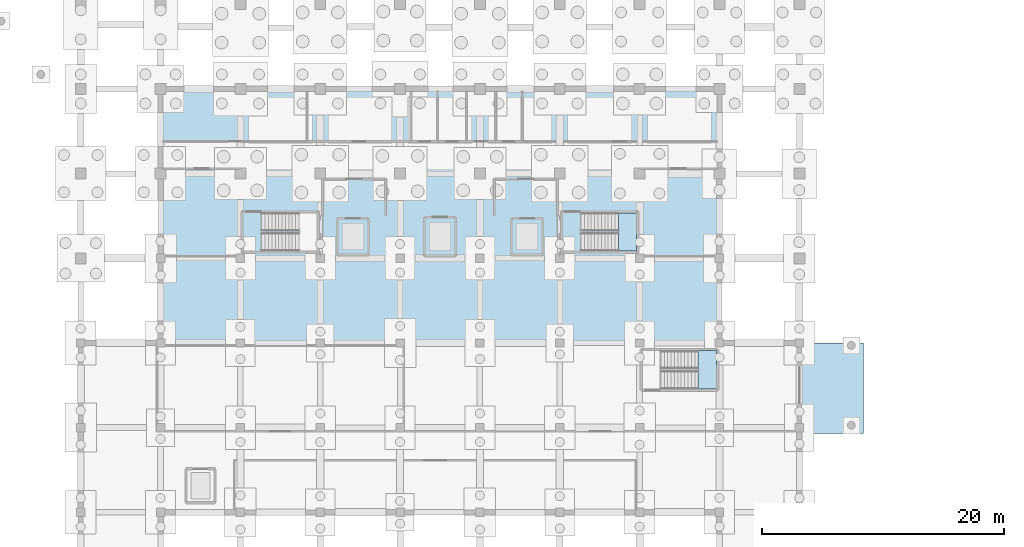
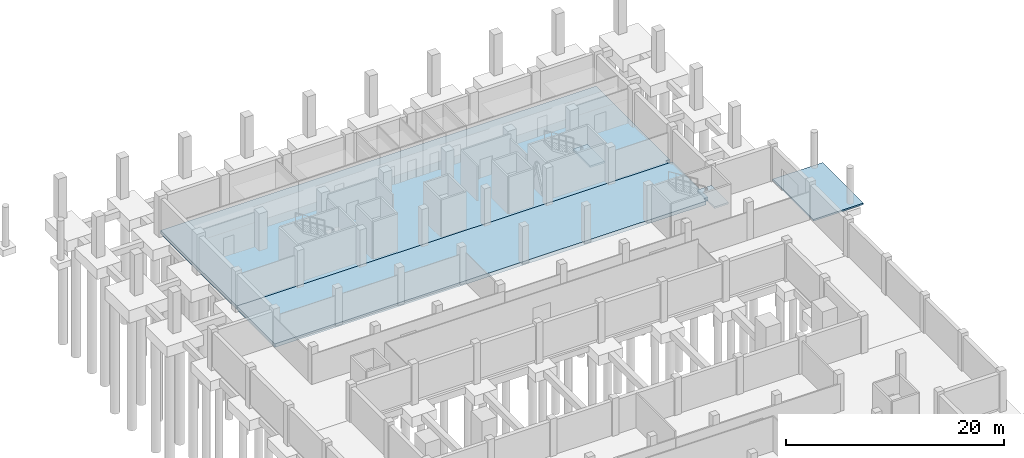
# One storey, part 14 of 27: 5 slabs, 2 elements without a shape of their own.
"""IFC4 building model written with IfcOpenShell, lengths in metres."""

from ifc_helpers import new_model, si_unit, direction, frame, origin, place, context, subcontext, project, spatial, polyline, outline, extrude, material, layer, layer_set, type_object, element, aggregate, save


model = new_model("IFC4")

# Units and contexts
model_context = context("Model", 3, precision=1e-05, world=origin(), true_north=direction((0.0, 1.0)))
body_context = subcontext(model_context, "Body", "Model", "MODEL_VIEW")
ifc_project = project(units=[si_unit("LENGTHUNIT", "METRE"), si_unit("AREAUNIT", "SQUARE_METRE"), si_unit("VOLUMEUNIT", "CUBIC_METRE"), si_unit("PLANEANGLEUNIT", "RADIAN"), si_unit("MASSUNIT", "GRAM", prefix="KILO")], contexts=[model_context])

# Site, building, storey
site_placement = place(None, origin())
site = spatial("IfcSite", under=ifc_project, at=site_placement, CompositionType="ELEMENT")
building_placement = place(site_placement, origin())
building = spatial("IfcBuilding", under=site, at=building_placement, Name="Ciguamira Faculty of Natural Sciences", CompositionType="ELEMENT")
storey_placement = place(building_placement, frame((0.0, 0.0, -4.199951171875)))
storey = spatial("IfcBuildingStorey", under=building, at=storey_placement, Name="B1", CompositionType="ELEMENT", Elevation=-4.199951171875)

# Slabs
ifc_material_1 = material(Name="Precast concrete C35/45", Category="concrete")
ifc_layer_1 = layer(ifc_material_1, 0.179931640625, Name="Precast concrete C35/45")
ifc_layer_set_1 = layer_set([ifc_layer_1], Name="Precast concrete C35/45")
slab_type_1 = type_object("IfcSlabType", Name="PavingSlab_PV01", PredefinedType="BASESLAB", material=ifc_layer_set_1)
slab_1_placement = place(storey_placement, frame((0.0, 0.0, -0.179931640625)))
element("IfcSlab", 1, at=slab_1_placement, inside=storey, type_object=slab_type_1, Name="B1 service delivery apron", PredefinedType="BASESLAB", context=body_context, shape_type="SweptSolid", body=[
    extrude(outline(polyline([(116.699951171875, 79.5), (122.0, 79.5), (122.0, 87.0), (116.699951171875, 87.0), (116.699951171875, 79.5)])), origin(), (0.0, 0.0, 1.0), 0.179931640625),
])
ifc_material_2 = material(Name="Concrete C35/45", Category="concrete")
ifc_layer_2 = layer(ifc_material_2, 0.39990234375, Name="Concrete C35/45")
ifc_layer_set_2 = layer_set([ifc_layer_2], Name="Concrete C35/45")
slab_type_2 = type_object("IfcSlabType", Name="Slab_SB-01_400", PredefinedType="BASESLAB", material=ifc_layer_set_2)
slab_2_placement = place(storey_placement, frame((0.0, 0.0, -0.400146484375)))
element("IfcSlab", 2, at=slab_2_placement, inside=storey, type_object=slab_type_2, Name="B1 V4K structural slab", PredefinedType="BASESLAB", context=body_context, shape_type="SweptSolid", body=[
    extrude(outline(polyline([(63.89990234375, 87.0), (109.64990234375, 87.0), (109.64990234375, 87.449951171875), (110.10009765625, 87.449951171875), (110.10009765625, 94.0), (63.89990234375, 94.0), (63.89990234375, 87.0)])), origin(), (0.0, 0.0, 1.0), 0.400146484375),
])
slab_3_placement = place(storey_placement, frame((0.0, 0.0, -0.400146484375)))
element("IfcSlab", 3, at=slab_3_placement, inside=storey, type_object=slab_type_2, Name="B1 V5 structural slab", PredefinedType="BASESLAB", context=body_context, shape_type="SweptSolid", body=[
    extrude(outline(polyline([(63.89990234375, 94.0), (109.64990234375, 94.0), (109.64990234375, 94.449951171875), (110.10009765625, 94.449951171875), (110.10009765625, 108.0), (63.89990234375, 108.0), (63.89990234375, 94.0)])), origin(), (0.0, 0.0, 1.0), 0.400146484375),
])

# Stair, slab
ifc_material_3 = material(Name="Concrete C40/50", Category="concrete")
stair_type = type_object("IfcStairType", Name="Stair_STR-02", PredefinedType="HALF_TURN_STAIR", material=ifc_material_3)
stair_1_placement = place(storey_placement, origin())
stair_1 = element("IfcStair", 4, at=stair_1_placement, inside=storey, type_object=stair_type, Name="B1 Tower East Exit Stair", PredefinedType="HALF_TURN_STAIR")
ifc_layer_3 = layer(ifc_material_3, 0.199951171875, Name="Concrete C40/50")
ifc_layer_set_3 = layer_set([ifc_layer_3], Name="Concrete C40/50")
slab_type_3 = type_object("IfcSlabType", Name="StairLanding_SLD01", PredefinedType="LANDING", material=ifc_layer_set_3)
slab_4_placement = place(storey_placement, frame((0.0, 0.0, 1.89990234375)))
slab_4 = element("IfcSlab", 5, at=slab_4_placement, type_object=slab_type_3, Name="ST-T2 landing 1", PredefinedType="LANDING", context=body_context, shape_type="SweptSolid", body=[
    extrude(outline(polyline([(101.739990234375, 94.60009765625), (103.25, 94.60009765625), (103.25, 97.760009765625), (101.739990234375, 97.760009765625), (101.739990234375, 94.60009765625)])), origin(), (0.0, 0.0, 1.0), 0.199951171875),
])
aggregate(stair_1, [slab_4])

stair_2_placement = place(storey_placement, origin())
stair_2 = element("IfcStair", 6, at=stair_2_placement, inside=storey, type_object=stair_type, Name="B1 Wave Labs North-East Exit Stair", PredefinedType="HALF_TURN_STAIR")
slab_5_placement = place(storey_placement, frame((0.0, 0.0, 1.89990234375)))
slab_5 = element("IfcSlab", 7, at=slab_5_placement, type_object=slab_type_3, Name="ST-W2 landing 1", PredefinedType="LANDING", context=body_context, shape_type="SweptSolid", body=[
    extrude(outline(polyline([(108.340087890625, 83.199951171875), (109.85009765625, 83.199951171875), (109.85009765625, 86.360107421875), (108.340087890625, 86.360107421875), (108.340087890625, 83.199951171875)])), origin(), (0.0, 0.0, 1.0), 0.199951171875),
])
aggregate(stair_2, [slab_5])

save(model, "model.ifc")
